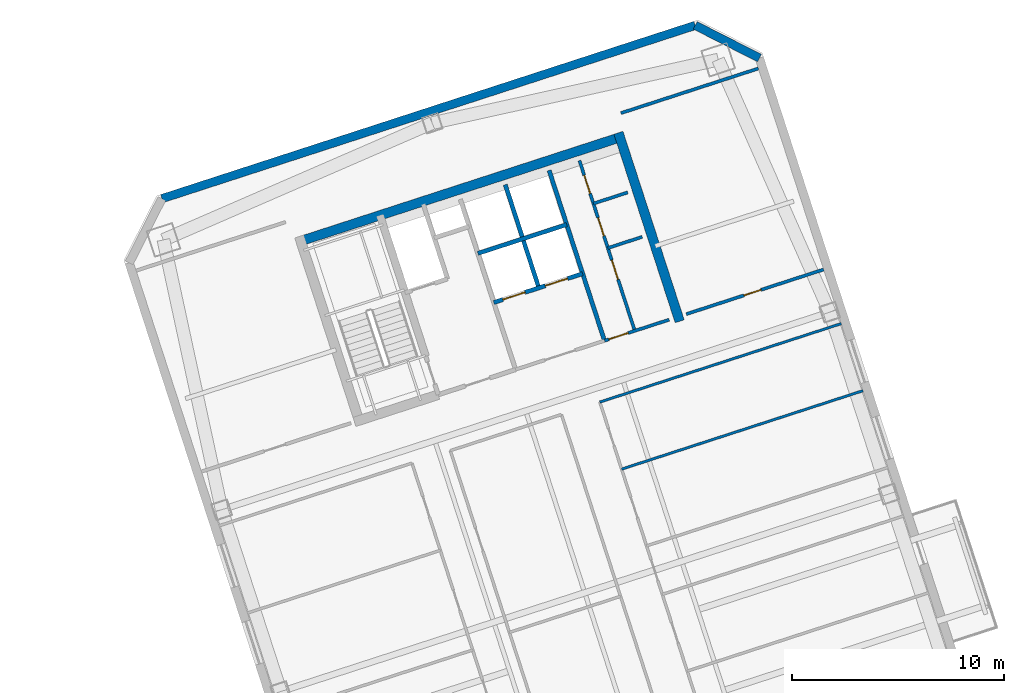
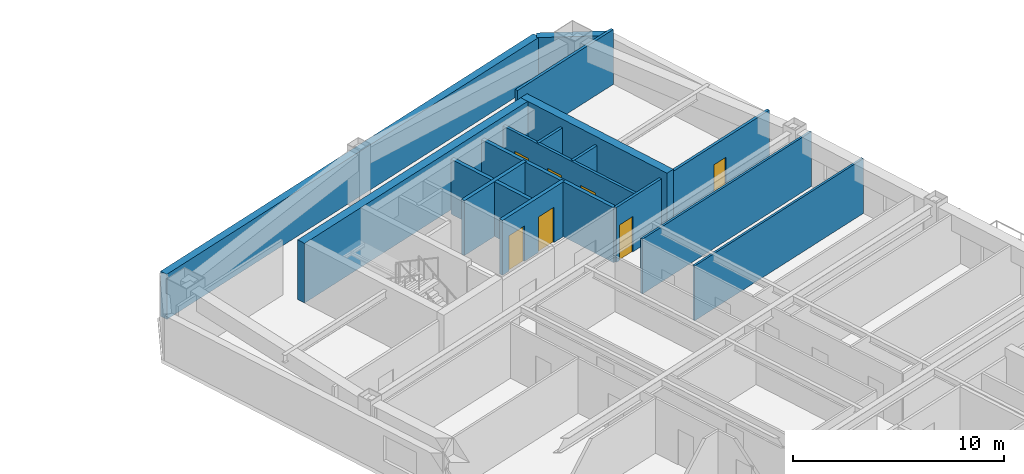
# One storey, part 11 of 16: 16 walls, 7 doors, 7 openings.
"""IFC4 building model written with IfcOpenShell, lengths in metres."""

from ifc_helpers import new_model, si_unit, direction, frame, frame_2d, origin, place, context, subcontext, project, spatial, rectangle, extrude, material, layer, layer_set, type_object, element, fill, save


model = new_model("IFC4")

# Units and contexts
model_context = context("Model", 3, precision=1e-05, world=origin(), true_north=direction((0.0, 1.0)))
body_context = subcontext(model_context, "Body", "Model", "MODEL_VIEW")
ifc_project = project(units=[si_unit("LENGTHUNIT", "METRE"), si_unit("AREAUNIT", "SQUARE_METRE"), si_unit("VOLUMEUNIT", "CUBIC_METRE"), si_unit("PLANEANGLEUNIT", "RADIAN"), si_unit("MASSUNIT", "GRAM", prefix="KILO")], contexts=[model_context])

# Site, building, storey
site_placement = place(None, origin())
site = spatial("IfcSite", under=ifc_project, at=site_placement, CompositionType="ELEMENT")
building_placement = place(site_placement, origin())
building = spatial("IfcBuilding", under=site, at=building_placement, Name="Qiaolan Cultural Towers", CompositionType="ELEMENT")
storey_placement = place(building_placement, frame((0.0, 0.0, 188.60009765625)))
storey = spatial("IfcBuildingStorey", under=building, at=storey_placement, Name="L50", CompositionType="ELEMENT", Elevation=188.60009765625)

# Walls
ifc_material_1 = material(Name="Concrete C50", Category="concrete")
ifc_layer_1 = layer(ifc_material_1, 0.449951171875)
ifc_layer_set_1 = layer_set([ifc_layer_1], Name="Concrete C50")
wall_type_1 = type_object("IfcWallType", Name="WL-CORE-450", PredefinedType="SHEAR", material=ifc_layer_set_1)
wall_1_placement = place(storey_placement, frame((76.414794921875, 50.489013671875, 0.0), z_axis=(0.0, 0.0, 1.0), x_axis=(0.951056810414, 0.309016089169, 0.0)))
element("IfcWall", 1, at=wall_1_placement, inside=storey, type_object=wall_type_1, Name="L50 T2-CN Outer Core Shear Wall", PredefinedType="SHEAR", context=body_context, shape_type="SweptSolid", body=[
    extrude(rectangle(XDim=16.25, YDim=0.449951171875, at=frame_2d((8.125, 0.0))), origin(), (0.0, 0.0, 1.0), 3.449951171875),
])
wall_2_placement = place(storey_placement, frame((94.468994140625, 46.781494140625, 0.0), z_axis=(0.0, 0.0, 1.0), x_axis=(-0.309004419953, 0.951060601881, 0.0)))
element("IfcWall", 2, at=wall_2_placement, inside=storey, type_object=wall_type_1, Name="L50 T2-CN East Core Shear Wall", PredefinedType="SHEAR", context=body_context, shape_type="SweptSolid", body=[
    extrude(rectangle(XDim=9.330078125, YDim=0.449951171875, at=frame_2d((4.6650390625, 0.0))), origin(), (0.0, 0.0, 1.0), 3.449951171875),
])
ifc_material_2 = material(Name="Precast Concrete C50 Honed Stone Pier", Category="masonry")
ifc_layer_2 = layer(ifc_material_2, 0.39990234375)
ifc_layer_set_2 = layer_set([ifc_layer_2], Name="Precast Concrete C50 Honed Stone Pier")
wall_type_2 = type_object("IfcWallType", Name="WL-EXT-PIER-400", PredefinedType="SOLIDWALL", material=ifc_layer_set_2)
wall_3_placement = place(storey_placement, frame((70.091552734375, 52.55615234375, 0.0), z_axis=(0.0, 0.0, 1.0), x_axis=(0.951057580055, 0.30901372044, 0.0)))
element("IfcWall", 3, at=wall_3_placement, inside=storey, type_object=wall_type_2, Name="L50 East Tower Precast Pier Facade Wall F3", PredefinedType="SOLIDWALL", context=body_context, shape_type="SweptSolid", body=[
    extrude(rectangle(XDim=26.39990234375, YDim=0.39990234375, at=frame_2d((13.199951171875, 0.0))), origin(), (0.0, 0.0, 1.0), 2.60986328125),
])
wall_4_placement = place(storey_placement, frame((95.199462890625, 60.714111328125, 0.0), z_axis=(0.0, 0.0, 1.0), x_axis=(0.891020832027, -0.453962417932, 0.0)))
element("IfcWall", 4, at=wall_4_placement, inside=storey, type_object=wall_type_2, Name="L50 East Tower Precast Pier Facade Wall F4", PredefinedType="SOLIDWALL", context=body_context, shape_type="SweptSolid", body=[
    extrude(rectangle(XDim=3.39404296875, YDim=0.39990234375, at=frame_2d((1.697021484375, 0.0))), origin(), (0.0, 0.0, 1.0), 2.60986328125),
])
ifc_material_3 = material(Name="Concrete C35 Fire Wall", Category="concrete")
ifc_layer_3 = layer(ifc_material_3, 0.199951171875)
ifc_layer_set_3 = layer_set([ifc_layer_3], Name="Concrete C35 Fire Wall")
wall_type_3 = type_object("IfcWallType", Name="WL-FIRE-200", PredefinedType="PARTITIONING", material=ifc_layer_set_3)
wall_5_placement = place(storey_placement, frame((90.92822265625, 45.86767578125, 0.0), z_axis=(0.0, 0.0, 1.0), x_axis=(-0.309042196757, 0.951048327176, 0.0)))
element("IfcWall", 5, at=wall_5_placement, inside=storey, type_object=wall_type_3, Name="L50 T2-CN Lift Core East Wall", PredefinedType="PARTITIONING", context=body_context, shape_type="SweptSolid", body=[
    extrude(rectangle(XDim=8.429931640625, YDim=0.199951171875, at=frame_2d((4.21484375, 0.0))), origin(), (0.0, 0.0, 1.0), 3.1748046875),
])

# Wall, openings, doors
wall_6_placement = place(storey_placement, frame((85.717529296875, 47.66552734375, 0.0), z_axis=(0.0, 0.0, 1.0), x_axis=(0.951058531764, 0.30901079133, 0.0)))
wall_6 = element("IfcWall", 6, at=wall_6_placement, inside=storey, type_object=wall_type_3, Name="L50 T2-CN Passenger Lift Shaft Front Wall", PredefinedType="PARTITIONING", context=body_context, shape_type="SweptSolid", body=[
    extrude(rectangle(XDim=4.39990234375, YDim=0.199951171875, at=frame_2d((2.199951171875, 0.0))), origin(), (0.0, 0.0, 1.0), 3.1748046875),
])
opening_1_placement = place(wall_6_placement, frame((0.449951171875, 0.0, 0.0)))
opening_1 = element("IfcOpeningElement", 7, at=opening_1_placement, cuts=wall_6, Name="Opening LD-01", PredefinedType="OPENING", context=body_context, shape_type="SweptSolid", body=[
    extrude(rectangle(XDim=1.10009765625, YDim=2.050048828125, at=frame_2d((0.550048828125, 1.02490234375))), frame((0.0, 0.10986328125, 0.0), z_axis=(0.0, -1.0, 0.0), x_axis=(1.0, 0.0, 0.0)), (0.0, 0.0, 1.0), 0.219970703125),
])
opening_2_placement = place(wall_6_placement, frame((2.550048828125, 0.0, 0.0)))
opening_2 = element("IfcOpeningElement", 8, at=opening_2_placement, cuts=wall_6, Name="Opening LD-01", PredefinedType="OPENING", context=body_context, shape_type="SweptSolid", body=[
    extrude(rectangle(XDim=1.10009765625, YDim=2.050048828125, at=frame_2d((0.550048828125, 1.02490234375))), frame((0.0, 0.10986328125, 0.0), z_axis=(0.0, -1.0, 0.0), x_axis=(1.0, 0.0, 0.0)), (0.0, 0.0, 1.0), 0.219970703125),
])
ifc_material_4 = material(Name="Brushed Stainless Steel S30408 Centre-Parting Lift Landing Door", Category="steel")
door_type_1 = type_object("IfcDoorType", Name="DR-LIFT-1100", OperationType="NOTDEFINED", PredefinedType="DOOR", material=ifc_material_4)
door_1_placement = place(opening_1_placement, origin())
door_1 = element("IfcDoor", 9, at=door_1_placement, inside=storey, type_object=door_type_1, Name="L50 Passenger Lift 1 Landing Door", OperationType="DOUBLE_DOOR_SLIDING", OverallHeight=2.050048828125, OverallWidth=1.10009765625, PredefinedType="DOOR", context=body_context, shape_type="SweptSolid", body=[
    extrude(rectangle(XDim=1.10009765625, YDim=2.050048828125, at=frame_2d((0.550048828125, 1.02490234375))), frame((0.0, 0.02490234375, 0.0), z_axis=(0.0, -1.0, 0.0), x_axis=(1.0, 0.0, 0.0)), (0.0, 0.0, 1.0), 0.050048828125),
])
fill(opening_1, door_1)
door_2_placement = place(opening_2_placement, origin())
door_2 = element("IfcDoor", 10, at=door_2_placement, inside=storey, type_object=door_type_1, Name="L50 Passenger Lift 2 Landing Door", OperationType="DOUBLE_DOOR_SLIDING", OverallHeight=2.050048828125, OverallWidth=1.10009765625, PredefinedType="DOOR", context=body_context, shape_type="SweptSolid", body=[
    extrude(rectangle(XDim=1.10009765625, YDim=2.050048828125, at=frame_2d((0.550048828125, 1.02490234375))), frame((0.0, 0.02490234375, 0.0), z_axis=(0.0, -1.0, 0.0), x_axis=(1.0, 0.0, 0.0)), (0.0, 0.0, 1.0), 0.050048828125),
])
fill(opening_2, door_2)

# Walls
wall_7_placement = place(storey_placement, frame((87.83837890625, 48.3544921875, 0.0), z_axis=(0.0, 0.0, 1.0), x_axis=(-0.3090093719, 0.951058992953, 0.0)))
element("IfcWall", 11, at=wall_7_placement, inside=storey, type_object=wall_type_3, Name="L50 T2-CN Lift Shaft Divider Wall", PredefinedType="PARTITIONING", context=body_context, shape_type="SweptSolid", body=[
    extrude(rectangle(XDim=5.110107421875, YDim=0.199951171875, at=frame_2d((2.55517578125, 0.0))), origin(), (0.0, 0.0, 1.0), 3.1748046875),
])
wall_8_placement = place(storey_placement, frame((84.966552734375, 49.9765625, 0.0), z_axis=(0.0, 0.0, 1.0), x_axis=(0.951063829732, 0.308994485023, 0.0)))
element("IfcWall", 12, at=wall_8_placement, inside=storey, type_object=wall_type_3, Name="L50 T2-CN Passenger Lift Shaft Back Wall", PredefinedType="PARTITIONING", context=body_context, shape_type="SweptSolid", body=[
    extrude(rectangle(XDim=4.400146484375, YDim=0.199951171875, at=frame_2d((2.2001953125, 0.0))), origin(), (0.0, 0.0, 1.0), 3.1748046875),
])
ifc_material_5 = material(Name="Gypsum Stud Acoustic Partition", Category="gypsum")
ifc_layer_4 = layer(ifc_material_5, 0.1201171875)
ifc_layer_set_4 = layer_set([ifc_layer_4], Name="Gypsum Stud Acoustic Partition")
wall_type_4 = type_object("IfcWallType", Name="WL-PART-120", PredefinedType="PARTITIONING", material=ifc_layer_set_4)
for number, where, z_axis, x_axis, name in (
    (13, (90.710205078125, 42.97900390625, 0.0), (0.0, 0.0, 1.0), (0.95105853842, 0.309010770845, 0.0), "L50 T2 Interior Wall"),
    (14, (91.736083984375, 39.8212890625, 0.0), (0.0, 0.0, 1.0), (0.951052534024, 0.309029250277, 0.0), "L50 T2 Interior Wall"),
):
    element("IfcWall", number, at=place(storey_placement, frame(where, z_axis=z_axis, x_axis=x_axis)), inside=storey, type_object=wall_type_4, Name=name, PredefinedType="PARTITIONING", context=body_context, shape_type="SweptSolid", body=[
        extrude(rectangle(XDim=11.949951171875, YDim=0.1201171875, at=frame_2d((5.97509765625, 0.0))), origin(), (0.0, 0.0, 1.0), 3.1748046875),
    ])

# Wall, opening, door
ifc_material_6 = material(Name="Autoclaved Aerated Concrete Block B06", Category="concrete")
ifc_layer_5 = layer(ifc_material_6, 0.14990234375)
ifc_layer_set_5 = layer_set([ifc_layer_5], Name="Autoclaved Aerated Concrete Block B06")
wall_type_5 = type_object("IfcWallType", Name="WL-PART-150", PredefinedType="PARTITIONING", material=ifc_layer_set_5)
wall_9_placement = place(storey_placement, frame((90.92822265625, 45.86767578125, 0.0), z_axis=(0.0, 0.0, 1.0), x_axis=(0.951059297078, 0.309008435874, 0.0)))
wall_9 = element("IfcWall", 15, at=wall_9_placement, inside=storey, type_object=wall_type_5, Name="L50 T2-CN Sanitary Core Front Wall", PredefinedType="PARTITIONING", context=body_context, shape_type="SweptSolid", body=[
    extrude(rectangle(XDim=3.19970703125, YDim=0.14990234375, at=frame_2d((1.599853515625, 0.0))), origin(), (0.0, 0.0, 1.0), 3.1748046875),
])
opening_3_placement = place(wall_9_placement, frame((0.219970703125, 0.0, 0.0)))
opening_3 = element("IfcOpeningElement", 16, at=opening_3_placement, cuts=wall_9, Name="Opening ID-05", PredefinedType="OPENING", context=body_context, shape_type="SweptSolid", body=[
    extrude(rectangle(XDim=0.949951171875, YDim=2.050048828125, at=frame_2d((0.47509765625, 1.02490234375))), frame((0.0, 0.0849609375, 0.0), z_axis=(0.0, -1.0, 0.0), x_axis=(1.0, 0.0, 0.0)), (0.0, 0.0, 1.0), 0.169921875),
])
ifc_material_7 = material(Name="Fire-Rated Laminate Accessible Core Door", Category="timber")
door_type_2 = type_object("IfcDoorType", Name="DR-INT-950", OperationType="NOTDEFINED", PredefinedType="DOOR", material=ifc_material_7)
door_3_placement = place(opening_3_placement, origin())
door_3 = element("IfcDoor", 17, at=door_3_placement, inside=storey, type_object=door_type_2, Name="L50 Sanitary Vestibule Door", OperationType="SINGLE_SWING_LEFT", OverallHeight=2.050048828125, OverallWidth=0.949951171875, PredefinedType="DOOR", context=body_context, shape_type="SweptSolid", body=[
    extrude(rectangle(XDim=0.949951171875, YDim=2.050048828125, at=frame_2d((0.47509765625, 1.02490234375))), frame((0.0, 0.02490234375, 0.0), z_axis=(0.0, -1.0, 0.0), x_axis=(1.0, 0.0, 0.0)), (0.0, 0.0, 1.0), 0.050048828125),
])
fill(opening_3, door_3)

# Wall, openings, doors
wall_10_placement = place(storey_placement, frame((92.354736328125, 46.3310546875, 0.0), z_axis=(0.0, 0.0, 1.0), x_axis=(-0.309007490203, 0.951059604335, 0.0)))
wall_10 = element("IfcWall", 18, at=wall_10_placement, inside=storey, type_object=wall_type_5, Name="L50 T2-CN Sanitary Vestibule Wall", PredefinedType="PARTITIONING", context=body_context, shape_type="SweptSolid", body=[
    extrude(rectangle(XDim=8.43017578125, YDim=0.14990234375, at=frame_2d((4.215087890625, 0.0))), origin(), (0.0, 0.0, 1.0), 3.1748046875),
])
opening_4_placement = place(wall_10_placement, frame((2.550048828125, 0.0, 0.0)))
opening_4 = element("IfcOpeningElement", 19, at=opening_4_placement, cuts=wall_10, Name="Opening ID-05", PredefinedType="OPENING", context=body_context, shape_type="SweptSolid", body=[
    extrude(rectangle(XDim=0.949951171875, YDim=2.050048828125, at=frame_2d((0.47509765625, 1.02490234375))), frame((0.0, 0.0849609375, 0.0), z_axis=(0.0, -1.0, 0.0), x_axis=(1.0, 0.0, 0.0)), (0.0, 0.0, 1.0), 0.169921875),
])
opening_5_placement = place(wall_10_placement, frame((4.699951171875, 0.0, 0.0)))
opening_5 = element("IfcOpeningElement", 20, at=opening_5_placement, cuts=wall_10, Name="Opening ID-06", PredefinedType="OPENING", context=body_context, shape_type="SweptSolid", body=[
    extrude(rectangle(XDim=0.89990234375, YDim=2.050048828125, at=frame_2d((0.449951171875, 1.02490234375))), frame((0.0, 0.0849609375, 0.0), z_axis=(0.0, -1.0, 0.0), x_axis=(1.0, 0.0, 0.0)), (0.0, 0.0, 1.0), 0.169921875),
])
opening_6_placement = place(wall_10_placement, frame((6.800048828125, 0.0, 0.0)))
opening_6 = element("IfcOpeningElement", 21, at=opening_6_placement, cuts=wall_10, Name="Opening ID-06", PredefinedType="OPENING", context=body_context, shape_type="SweptSolid", body=[
    extrude(rectangle(XDim=0.89990234375, YDim=2.050048828125, at=frame_2d((0.449951171875, 1.02490234375))), frame((0.0, 0.0849609375, 0.0), z_axis=(0.0, -1.0, 0.0), x_axis=(1.0, 0.0, 0.0)), (0.0, 0.0, 1.0), 0.169921875),
])
ifc_material_8 = material(Name="Fire-Rated Laminate Core Service Door", Category="timber")
door_type_3 = type_object("IfcDoorType", Name="DR-INT-900", OperationType="NOTDEFINED", PredefinedType="DOOR", material=ifc_material_8)
door_4_placement = place(opening_5_placement, origin())
door_4 = element("IfcDoor", 22, at=door_4_placement, inside=storey, type_object=door_type_3, Name="L50 Men Washroom Door", OperationType="SINGLE_SWING_LEFT", OverallHeight=2.050048828125, OverallWidth=0.89990234375, PredefinedType="DOOR", context=body_context, shape_type="SweptSolid", body=[
    extrude(rectangle(XDim=0.89990234375, YDim=2.050048828125, at=frame_2d((0.449951171875, 1.02490234375))), frame((0.0, 0.02490234375, 0.0), z_axis=(0.0, -1.0, 0.0), x_axis=(1.0, 0.0, 0.0)), (0.0, 0.0, 1.0), 0.050048828125),
])
fill(opening_5, door_4)
door_5_placement = place(opening_6_placement, origin())
door_5 = element("IfcDoor", 23, at=door_5_placement, inside=storey, type_object=door_type_3, Name="L50 Women Washroom Door", OperationType="SINGLE_SWING_RIGHT", OverallHeight=2.050048828125, OverallWidth=0.89990234375, PredefinedType="DOOR", context=body_context, shape_type="SweptSolid", body=[
    extrude(rectangle(XDim=0.89990234375, YDim=2.050048828125, at=frame_2d((0.449951171875, 1.02490234375))), frame((0.0, 0.02490234375, 0.0), z_axis=(0.0, -1.0, 0.0), x_axis=(1.0, 0.0, 0.0)), (0.0, 0.0, 1.0), 0.050048828125),
])
fill(opening_6, door_5)
door_6_placement = place(opening_4_placement, origin())
door_6 = element("IfcDoor", 24, at=door_6_placement, inside=storey, type_object=door_type_2, Name="L50 Accessible Family Washroom Door", OperationType="SINGLE_SWING_LEFT", OverallHeight=2.050048828125, OverallWidth=0.949951171875, PredefinedType="DOOR", context=body_context, shape_type="SweptSolid", body=[
    extrude(rectangle(XDim=0.949951171875, YDim=2.050048828125, at=frame_2d((0.47509765625, 1.02490234375))), frame((0.0, 0.02490234375, 0.0), z_axis=(0.0, -1.0, 0.0), x_axis=(1.0, 0.0, 0.0)), (0.0, 0.0, 1.0), 0.050048828125),
])
fill(opening_4, door_6)

# Walls
wall_11_placement = place(storey_placement, frame((91.087646484375, 50.23046875, 0.0), z_axis=(0.0, 0.0, 1.0), x_axis=(0.951054116971, 0.309024378638, 0.0)))
element("IfcWall", 25, at=wall_11_placement, inside=storey, type_object=wall_type_5, Name="L50 T2-CN Restroom Split Wall 1", PredefinedType="PARTITIONING", context=body_context, shape_type="SweptSolid", body=[
    extrude(rectangle(XDim=1.7001953125, YDim=0.14990234375, at=frame_2d((0.85009765625, 0.0))), origin(), (0.0, 0.0, 1.0), 3.1748046875),
])
wall_12_placement = place(storey_placement, frame((90.407958984375, 52.32275390625, 0.0), z_axis=(0.0, 0.0, 1.0), x_axis=(0.951040401051, 0.309066587596, 0.0)))
element("IfcWall", 26, at=wall_12_placement, inside=storey, type_object=wall_type_5, Name="L50 T2-CN Restroom Split Wall 2", PredefinedType="PARTITIONING", context=body_context, shape_type="SweptSolid", body=[
    extrude(rectangle(XDim=1.699951171875, YDim=0.14990234375, at=frame_2d((0.85009765625, 0.0))), origin(), (0.0, 0.0, 1.0), 3.1748046875),
])
wall_13_placement = place(storey_placement, frame((91.705078125, 56.582275390625, 0.0), z_axis=(0.0, 0.0, 1.0), x_axis=(0.951057811516, 0.309013008068, 0.0)))
element("IfcWall", 27, at=wall_13_placement, inside=storey, type_object=wall_type_5, Name="L50 T2 Flank Wall FLK-NE", PredefinedType="PARTITIONING", context=body_context, shape_type="SweptSolid", body=[
    extrude(rectangle(XDim=6.800048828125, YDim=0.14990234375, at=frame_2d((3.39990234375, 0.0))), origin(), (0.0, 0.0, 1.0), 3.1748046875),
])

# Wall, opening, door
wall_14_placement = place(storey_placement, frame((94.77978515625, 47.119140625, 0.0), z_axis=(0.0, 0.0, 1.0), x_axis=(0.951057811516, 0.309013008068, 0.0)))
wall_14 = element("IfcWall", 28, at=wall_14_placement, inside=storey, type_object=wall_type_5, Name="L50 T2 Flank Front FLK-NE", PredefinedType="PARTITIONING", context=body_context, shape_type="SweptSolid", body=[
    extrude(rectangle(XDim=6.800048828125, YDim=0.14990234375, at=frame_2d((3.39990234375, 0.0))), origin(), (0.0, 0.0, 1.0), 3.1748046875),
])
opening_7_placement = place(wall_14_placement, frame((2.85595703125, 0.0, 0.0)))
opening_7 = element("IfcOpeningElement", 29, at=opening_7_placement, cuts=wall_14, Name="Opening ID-09", PredefinedType="OPENING", context=body_context, shape_type="SweptSolid", body=[
    extrude(rectangle(XDim=0.85009765625, YDim=2.050048828125, at=frame_2d((0.425048828125, 1.02490234375))), frame((0.0, 0.0849609375, 0.0), z_axis=(0.0, -1.0, 0.0), x_axis=(1.0, 0.0, 0.0)), (0.0, 0.0, 1.0), 0.169921875),
])
ifc_material_9 = material(Name="Moisture-Resistant Laminate Utility Door", Category="timber")
door_type_4 = type_object("IfcDoorType", Name="DR-INT-850", OperationType="NOTDEFINED", PredefinedType="DOOR", material=ifc_material_9)
door_7_placement = place(opening_7_placement, origin())
door_7 = element("IfcDoor", 30, at=door_7_placement, inside=storey, type_object=door_type_4, Name="L50 T2 Corner Studio Door", OperationType="SINGLE_SWING_LEFT", OverallHeight=2.050048828125, OverallWidth=0.85009765625, PredefinedType="DOOR", context=body_context, shape_type="SweptSolid", body=[
    extrude(rectangle(XDim=0.85009765625, YDim=2.050048828125, at=frame_2d((0.425048828125, 1.02490234375))), frame((0.0, 0.02490234375, 0.0), z_axis=(0.0, -1.0, 0.0), x_axis=(1.0, 0.0, 0.0)), (0.0, 0.0, 1.0), 0.050048828125),
])
fill(opening_7, door_7)

save(model, "model.ifc")
